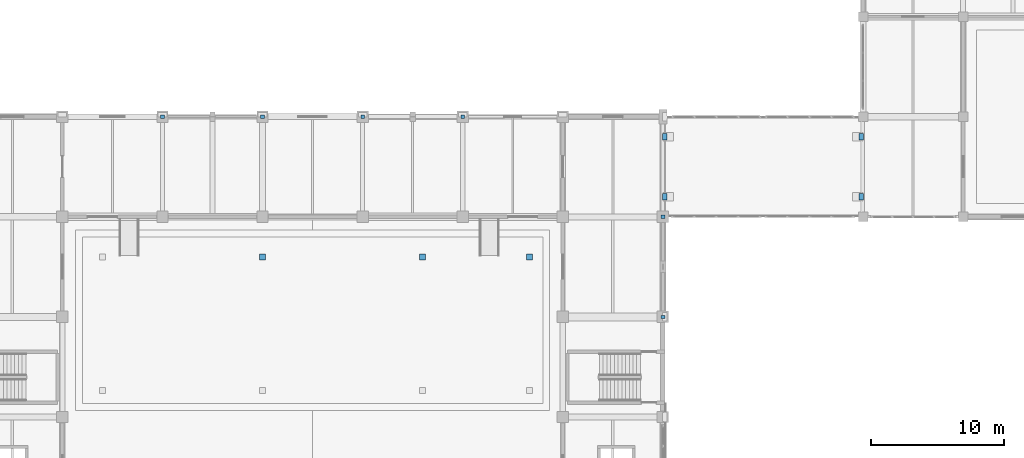
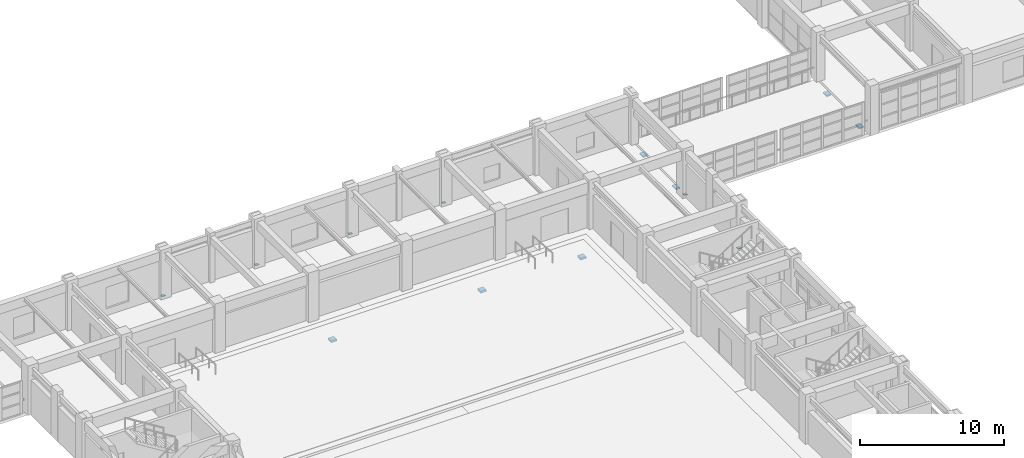
# One storey, part 115 of 132: 13 discrete accessories.
"""IFC4 building model written with IfcOpenShell, lengths in metres."""

import ifcopenshell
import ifcopenshell.guid

model = None  # the IFC model being written
_history = None  # IfcOwnerHistory: only IFC2X3 demands one
_inside = {}  # id of a spatial element -> (the spatial element, [elements in it])
_under = {}  # id of a project, library or spatial element -> (it, [spatial elements below it])
_declared = {}  # id of a project -> (the project, [libraries it declares])
_typed = {}  # id of a type object -> (the type object, [elements of that type])
_made_of = {}  # id of a material, layer set ... -> (it, [elements and type objects made of it])


def new_model(schema):
    """Start an empty IFC model of exactly this schema.

    Asked for "IFC4X3", IfcOpenShell would pick the latest addendum, in which some entities
    have other attributes; the version numbers below select the first issue.
    IFC2X3 requires an IfcOwnerHistory on every rooted entity: one is made here for all.
    """
    global model, _history
    if schema == "IFC4X3":
        model = ifcopenshell.file(schema_version=(4, 3, 0, 0))
    else:
        model = ifcopenshell.file(schema=schema)
    _inside.clear()
    _under.clear()
    _declared.clear()
    _typed.clear()
    _made_of.clear()
    _history = None
    if model.schema == "IFC2X3":
        org = make("IfcOrganization", Name="unknown")
        user = make(
            "IfcPersonAndOrganization",
            ThePerson=make("IfcPerson", FamilyName="unknown"),
            TheOrganization=org,
        )
        app = make(
            "IfcApplication",
            ApplicationDeveloper=org,
            Version="unknown",
            ApplicationFullName="unknown",
            ApplicationIdentifier="unknown",
        )
        _history = make(
            "IfcOwnerHistory",
            OwningUser=user,
            OwningApplication=app,
            ChangeAction="ADDED",
            CreationDate=0,
        )
    return model


def make(cls, **values):
    """One entity of the class cls with the attributes given. An attribute that is None is left unset."""
    return model.create_entity(
        cls, **{name: value for name, value in values.items() if value is not None}
    )


def rooted(cls, **values):
    """An entity with a GlobalId (a new one), such as an element, a storey or a relation."""
    return make(cls, GlobalId=ifcopenshell.guid.new(), OwnerHistory=_history, **values)


def si_unit(unit_type, name, prefix=None):
    """IfcSIUnit, for example si_unit("LENGTHUNIT", "METRE", prefix="MILLI")."""
    return make("IfcSIUnit", UnitType=unit_type, Prefix=prefix, Name=name)


def assignment(units):
    """IfcUnitAssignment: the units of a project."""
    return None if units is None else make("IfcUnitAssignment", Units=units)


def point(xyz):
    """IfcCartesianPoint."""
    return None if xyz is None else make("IfcCartesianPoint", Coordinates=xyz)


def direction(xyz):
    """IfcDirection."""
    return None if xyz is None else make("IfcDirection", DirectionRatios=xyz)


def frame(location, z_axis=None, x_axis=None):
    """IfcAxis2Placement3D, a coordinate frame: its origin and axes. An axis left out is left unset."""
    return make(
        "IfcAxis2Placement3D",
        Location=point(location),
        Axis=direction(z_axis),
        RefDirection=direction(x_axis),
    )


def frame_2d(location, x_axis=None):
    """IfcAxis2Placement2D, a coordinate frame in the plane: its origin and x axis."""
    return make(
        "IfcAxis2Placement2D", Location=point(location), RefDirection=direction(x_axis)
    )


def origin():
    """The frame at (0, 0, 0) with its axes left unset."""
    return frame((0.0, 0.0, 0.0))


def origin_2d():
    """The frame at (0, 0) in the plane with its x axis left unset."""
    return frame_2d((0.0, 0.0))


def place(relative_to, where):
    """IfcLocalPlacement: puts the frame where relative to a parent placement (None: the world)."""
    return make(
        "IfcLocalPlacement", PlacementRelTo=relative_to, RelativePlacement=where
    )


def context(
    kind, dimensions, precision=None, world=None, true_north=None, identifier=None
):
    """IfcGeometricRepresentationContext, for example the 3D "Model" context."""
    return make(
        "IfcGeometricRepresentationContext",
        ContextIdentifier=identifier,
        ContextType=kind,
        CoordinateSpaceDimension=dimensions,
        Precision=precision,
        WorldCoordinateSystem=world,
        TrueNorth=true_north,
    )


def subcontext(parent, identifier, kind, view, scale=None):
    """IfcGeometricRepresentationSubContext, for example "Body" below "Model"."""
    return make(
        "IfcGeometricRepresentationSubContext",
        ContextIdentifier=identifier,
        ContextType=kind,
        ParentContext=parent,
        TargetScale=scale,
        TargetView=view,
    )


def project(units=None, contexts=None):
    """IfcProject with its units and contexts."""
    return rooted(
        "IfcProject",
        Name="project",
        RepresentationContexts=contexts,
        UnitsInContext=assignment(units),
    )


def spatial(cls, under=None, at=None, **own):
    """A site, building, storey or space (cls), placed at a placement, below another one or the project."""
    s = rooted(cls, ObjectPlacement=at, **own)
    if under is not None:
        _under.setdefault(under.id(), (under, []))[1].append(s)
    return s


def profile(cls, at=None, kind="AREA", **sizes):
    """A parametric profile (cls). Its sizes go by their IFC names, for example OverallWidth=200.0."""
    return make(cls, ProfileType=kind, Position=at, **sizes)


def rectangle(**sizes):
    """IfcRectangleProfileDef."""
    return profile("IfcRectangleProfileDef", **sizes)


def extrude(swept, where, along, depth):
    """IfcExtrudedAreaSolid: the profile swept, set in the frame where, extruded along a direction by depth."""
    return make(
        "IfcExtrudedAreaSolid",
        SweptArea=swept,
        Position=where,
        ExtrudedDirection=direction(along),
        Depth=depth,
    )


def shape(context_of_items, identifier, shape_type, items):
    """IfcShapeRepresentation: the items that make up one representation, for example the "Body"."""
    return make(
        "IfcShapeRepresentation",
        ContextOfItems=context_of_items,
        RepresentationIdentifier=identifier,
        RepresentationType=shape_type,
        Items=items,
    )


def material(Name=None, Category=None):
    """IfcMaterial."""
    return make("IfcMaterial", Name=Name, Category=Category)


def made_of(thing, what):
    """Note that an element or type object is made of a material, layer set ...; save() writes the relation."""
    if what is not None:
        _made_of.setdefault(what.id(), (what, []))[1].append(thing)
    return thing


def type_object(cls, material=None, **own):
    """A type object (cls), such as IfcWallType, which elements share."""
    return made_of(rooted(cls, **own), material)


def element(
    cls,
    number,
    at=None,
    inside=None,
    cuts=None,
    type_object=None,
    material=None,
    context=None,
    identifier="Body",
    shape_type=None,
    held_by="IfcProductDefinitionShape",
    body=None,
    shapes=None,
    **own,
):
    """One element of the class cls, such as IfcWall. Its Tag is "e" and its number.

    at: its placement. inside: the storey or other place that contains it. cuts: it is an
    opening in that element (IfcRelVoidsElement). A single representation is given by context,
    identifier, shape_type and body (its items); several are given by shapes. held_by: the class
    of the entity that holds the representations. save() writes the other relations.
    """
    e = rooted(cls, Tag="e%d" % number, ObjectPlacement=at, **own)
    if body is not None:
        shapes = [shape(context, identifier, shape_type, body)]
    if shapes is not None:
        e.Representation = make(held_by, Representations=shapes)
    if inside is not None:
        _inside.setdefault(inside.id(), (inside, []))[1].append(e)
    if cuts is not None:
        rooted(
            "IfcRelVoidsElement", RelatingBuildingElement=cuts, RelatedOpeningElement=e
        )
    if type_object is not None:
        _typed.setdefault(type_object.id(), (type_object, []))[1].append(e)
    return made_of(e, material)


def aggregate(whole, parts):
    """IfcRelAggregates: a whole, such as a stair, and the parts it consists of."""
    return rooted("IfcRelAggregates", RelatingObject=whole, RelatedObjects=parts)


def save(model, path):
    """Write the relations noted so far, then the file.

    IfcRelAggregates (storeys below a building ...), IfcRelContainedInSpatialStructure (elements
    in a storey), IfcRelDefinesByType, IfcRelAssociatesMaterial and IfcRelDeclares: one each for
    every whole, place, type object, material and project.
    """
    for whole, parts in _under.values():
        aggregate(whole, parts)
    for where, things in _inside.values():
        rooted(
            "IfcRelContainedInSpatialStructure",
            RelatedElements=things,
            RelatingStructure=where,
        )
    for kind, things in _typed.values():
        rooted("IfcRelDefinesByType", RelatedObjects=things, RelatingType=kind)
    for what, things in _made_of.values():
        rooted("IfcRelAssociatesMaterial", RelatedObjects=things, RelatingMaterial=what)
    for by, libraries in _declared.values():
        rooted("IfcRelDeclares", RelatingContext=by, RelatedDefinitions=libraries)
    model.write(path)


model = new_model("IFC4")

# Units and contexts
model_context = context("Model", 3, precision=1e-05, world=origin(), true_north=direction((0.0, 1.0)))
body_context = subcontext(model_context, "Body", "Model", "MODEL_VIEW")
ifc_project = project(units=[si_unit("LENGTHUNIT", "METRE"), si_unit("AREAUNIT", "SQUARE_METRE"), si_unit("VOLUMEUNIT", "CUBIC_METRE"), si_unit("PLANEANGLEUNIT", "RADIAN"), si_unit("MASSUNIT", "GRAM", prefix="KILO")], contexts=[model_context])

# Site, building, storey
site_placement = place(None, origin())
site = spatial("IfcSite", under=ifc_project, at=site_placement, CompositionType="ELEMENT")
building_placement = place(site_placement, origin())
building = spatial("IfcBuilding", under=site, at=building_placement, Name="Qasida Concert Hall", CompositionType="ELEMENT")
storey_placement = place(building_placement, frame((0.0, 0.0, 4.800048828125)))
storey = spatial("IfcBuildingStorey", under=building, at=storey_placement, Name="L01", CompositionType="ELEMENT", Elevation=4.800048828125)

# Discrete accessories
ifc_material = material(Name="Steel S355J2", Category="steel")
discrete_accessory_type_1 = type_object("IfcDiscreteAccessoryType", Name="ACC-CONN-S355", PredefinedType="BRACKET", material=ifc_material)
for number, where, z_axis, x_axis, name in (
    (1, (105.0, 67.5, -0.011962890625), (0.0, 0.0, 1.0), (1.0, 0.0, 0.0), "Steel brace/strut end connection CN-0194"),
    (2, (105.0, 75.0, -0.011962890625), (0.0, 0.0, 1.0), (1.0, 0.0, 0.0), "Steel brace/strut end connection CN-0195"),
    (3, (67.5, 82.5, -0.011962890625), (0.0, 0.0, 1.0), (1.0, 0.0, 0.0), "Steel brace/strut end connection CN-0206"),
    (4, (75.0, 82.5, -0.011962890625), (0.0, 0.0, 1.0), (1.0, 0.0, 0.0), "Steel brace/strut end connection CN-0207"),
    (5, (82.5, 82.5, -0.011962890625), (0.0, 0.0, 1.0), (1.0, 0.0, 0.0), "Steel brace/strut end connection CN-0218"),
    (6, (90.0, 82.5, -0.011962890625), (0.0, 0.0, 1.0), (1.0, 0.0, 0.0), "Steel brace/strut end connection CN-0219"),
):
    element("IfcDiscreteAccessory", number, at=place(storey_placement, frame(where, z_axis=z_axis, x_axis=x_axis)), inside=storey, type_object=discrete_accessory_type_1, Name=name, PredefinedType="BRACKET", context=body_context, shape_type="SweptSolid", body=[
        extrude(rectangle(XDim=0.280029296875, YDim=0.239990234375, at=origin_2d()), origin(), (0.0, 0.0, 1.0), 0.02392578125),
    ])
discrete_accessory_type_2 = type_object("IfcDiscreteAccessoryType", Name="ACC-PTFE-SLIDE", PredefinedType="BRACKET", material=ifc_material)
for number, where, z_axis, x_axis, name in (
    (7, (105.14990234375, 76.5, -0.400146484375), (0.0, 0.0, 1.0), (1.0, 0.0, 0.0), "Seismic sliding bearing SB-PTFE-033"),
    (8, (105.14990234375, 81.0, -0.400146484375), (0.0, 0.0, 1.0), (1.0, 0.0, 0.0), "Seismic sliding bearing SB-PTFE-034"),
    (9, (119.85009765625, 76.5, -0.400146484375), (0.0, 0.0, 1.0), (1.0, 0.0, 0.0), "Seismic sliding bearing SB-PTFE-035"),
    (10, (119.85009765625, 81.0, -0.400146484375), (0.0, 0.0, 1.0), (1.0, 0.0, 0.0), "Seismic sliding bearing SB-PTFE-036"),
):
    element("IfcDiscreteAccessory", number, at=place(storey_placement, frame(where, z_axis=z_axis, x_axis=x_axis)), inside=storey, type_object=discrete_accessory_type_2, Name=name, PredefinedType="BRACKET", context=body_context, shape_type="SweptSolid", body=[
        extrude(rectangle(XDim=0.35009765625, YDim=0.5, at=origin_2d()), origin(), (0.0, 0.0, 1.0), 0.1201171875),
    ])
discrete_accessory_type_3 = type_object("IfcDiscreteAccessoryType", Name="ACC-SPRING-4HZ", PredefinedType="BRACKET", material=ifc_material)
for number, where, z_axis, x_axis, name in (
    (11, (75.0, 72.0, -0.080078125), (0.0, 0.0, 1.0), (1.0, 0.0, 0.0), "Acoustic spring isolator ASI-013"),
    (12, (87.0, 72.0, -0.080078125), (0.0, 0.0, 1.0), (1.0, 0.0, 0.0), "Acoustic spring isolator ASI-015"),
    (13, (95.0, 72.0, -0.080078125), (0.0, 0.0, 1.0), (1.0, 0.0, 0.0), "Acoustic spring isolator ASI-017"),
):
    element("IfcDiscreteAccessory", number, at=place(storey_placement, frame(where, z_axis=z_axis, x_axis=x_axis)), inside=storey, type_object=discrete_accessory_type_3, Name=name, PredefinedType="BRACKET", context=body_context, shape_type="SweptSolid", body=[
        extrude(rectangle(XDim=0.449951171875, YDim=0.449951171875, at=origin_2d()), origin(), (0.0, 0.0, 1.0), 0.159912109375),
    ])

save(model, "model.ifc")
